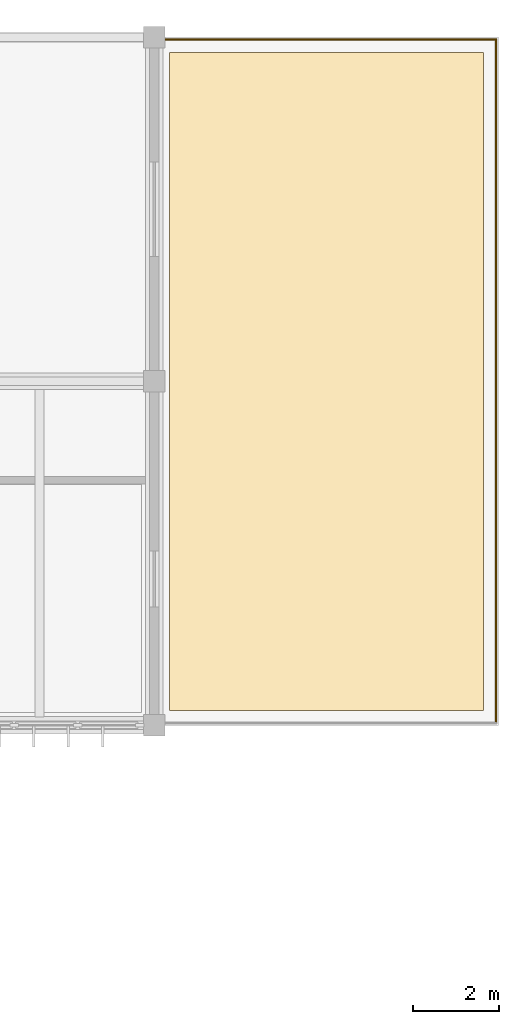
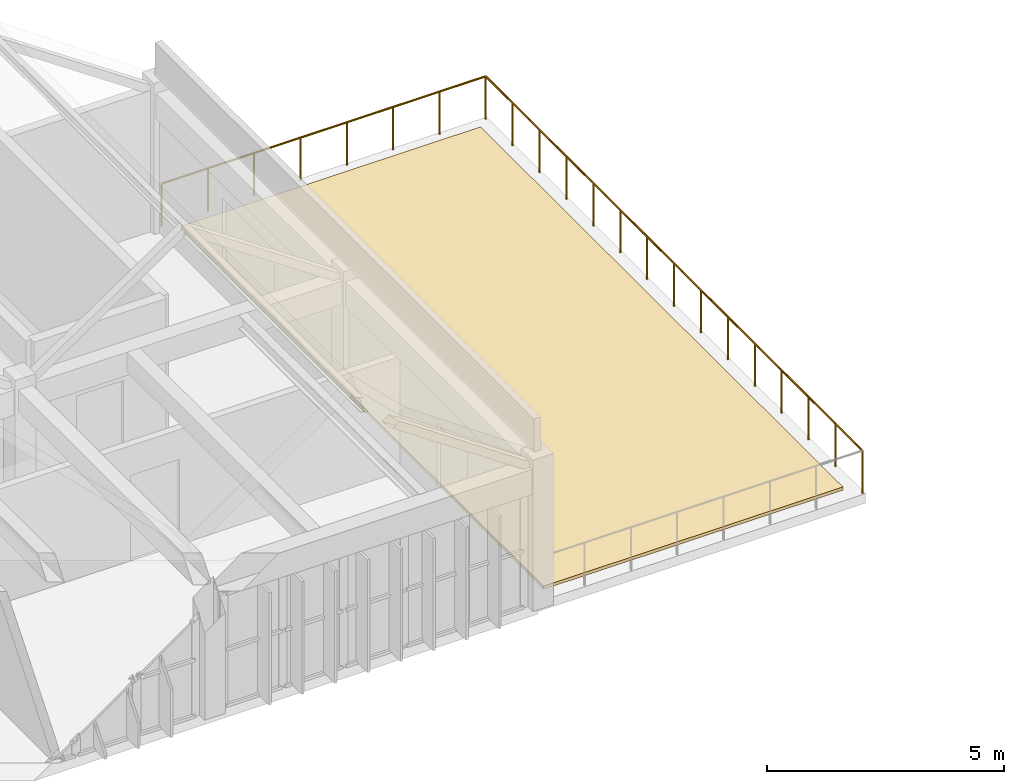
# One storey, part 31 of 31: 2 railings, 1 covering.
"""IFC4 building model written with IfcOpenShell, lengths in metres."""

from ifc_helpers import new_model, si_unit, direction, frame, origin, origin_2d, place, context, subcontext, project, spatial, polyline, circle, outline, extrude, material, layer, layer_set, type_object, element, save


model = new_model("IFC4")

# Units and contexts
model_context = context("Model", 3, precision=1e-05, world=origin(), true_north=direction((0.0, 1.0)))
body_context = subcontext(model_context, "Body", "Model", "MODEL_VIEW")
ifc_project = project(units=[si_unit("LENGTHUNIT", "METRE"), si_unit("AREAUNIT", "SQUARE_METRE"), si_unit("VOLUMEUNIT", "CUBIC_METRE"), si_unit("PLANEANGLEUNIT", "RADIAN"), si_unit("MASSUNIT", "GRAM", prefix="KILO")], contexts=[model_context])

# Site, building, storey
site_placement = place(None, origin())
site = spatial("IfcSite", under=ifc_project, at=site_placement, CompositionType="ELEMENT")
building_placement = place(site_placement, origin())
building = spatial("IfcBuilding", under=site, at=building_placement, Name="Tlaxcora Railside Police Headquarters", CompositionType="ELEMENT")
storey_placement = place(building_placement, frame((0.0, 0.0, 18.0)))
storey = spatial("IfcBuildingStorey", under=building, at=storey_placement, Name="L04", CompositionType="ELEMENT", Elevation=18.0)

# Covering
ifc_material_1 = material(Name="Modified EPDM waterproofing and volcanic-ash protection membrane")
ifc_layer = layer(ifc_material_1, 0.080078125, Name="Modified EPDM waterproofing and volcanic-ash protection membrane")
ifc_layer_set = layer_set([ifc_layer], Name="Modified EPDM waterproofing and volcanic-ash protection membrane")
covering_type = type_object("IfcCoveringType", Name="Planted Roof Garden Waterproofing RF-01", PredefinedType="ROOFING", material=ifc_layer_set)
covering_placement = place(storey_placement, origin())
element("IfcCovering", 1, at=covering_placement, inside=storey, type_object=covering_type, Name="TERR-V6-L04-E planted waterproofing layer", PredefinedType="ROOFING", context=body_context, shape_type="SweptSolid", body=[
    extrude(outline(polyline([(150.449951171875, 77.14990234375), (150.449951171875, 92.449951171875), (143.14990234375, 92.449951171875), (143.14990234375, 77.14990234375), (150.449951171875, 77.14990234375)])), origin(), (0.0, 0.0, 1.0), 0.080078125),
])

# Railings
ifc_material_2 = material(Name="Steel ASTM A992 Grade 50", Category="steel")
railing_type = type_object("IfcRailingType", Name="Terrace Perimeter Guard Balustrade GR-01", PredefinedType="BALUSTRADE", material=ifc_material_2)
railing_1_placement = place(storey_placement, frame((150.75, 76.85009765625, 0.0)))
element("IfcRailing", 2, at=railing_1_placement, inside=storey, type_object=railing_type, Name="TERR-V6-L04-E perimeter guard 2", PredefinedType="BALUSTRADE", context=body_context, shape_type="SweptSolid", body=[
    extrude(circle(Radius=0.02392578125, at=origin_2d()), frame((0.0, 0.0, 1.09619140625), z_axis=(0.0, 1.0, 0.0), x_axis=(-1.0, 0.0, 0.0)), (0.0, 0.0, 1.0), 15.89990234375),
    extrude(circle(Radius=0.02099609375, at=origin_2d()), origin(), (0.0, 0.0, 1.0), 1.072021484375),
    extrude(circle(Radius=0.02099609375, at=origin_2d()), frame((0.0, 1.1357421875, 0.0)), (0.0, 0.0, 1.0), 1.072021484375),
    extrude(circle(Radius=0.02099609375, at=origin_2d()), frame((0.0, 2.271484375, 0.0)), (0.0, 0.0, 1.0), 1.072021484375),
    extrude(circle(Radius=0.02099609375, at=origin_2d()), frame((0.0, 3.4072265625, 0.0)), (0.0, 0.0, 1.0), 1.072021484375),
    extrude(circle(Radius=0.02099609375, at=origin_2d()), frame((0.0, 4.542724609375, 0.0)), (0.0, 0.0, 1.0), 1.072021484375),
    extrude(circle(Radius=0.02099609375, at=origin_2d()), frame((0.0, 5.678466796875, 0.0)), (0.0, 0.0, 1.0), 1.072021484375),
    extrude(circle(Radius=0.02099609375, at=origin_2d()), frame((0.0, 6.814208984375, 0.0)), (0.0, 0.0, 1.0), 1.072021484375),
    extrude(circle(Radius=0.02099609375, at=origin_2d()), frame((0.0, 7.949951171875, 0.0)), (0.0, 0.0, 1.0), 1.072021484375),
    extrude(circle(Radius=0.02099609375, at=origin_2d()), frame((0.0, 9.085693359375, 0.0)), (0.0, 0.0, 1.0), 1.072021484375),
    extrude(circle(Radius=0.02099609375, at=origin_2d()), frame((0.0, 10.221435546875, 0.0)), (0.0, 0.0, 1.0), 1.072021484375),
    extrude(circle(Radius=0.02099609375, at=origin_2d()), frame((0.0, 11.357177734375, 0.0)), (0.0, 0.0, 1.0), 1.072021484375),
    extrude(circle(Radius=0.02099609375, at=origin_2d()), frame((0.0, 12.49267578125, 0.0)), (0.0, 0.0, 1.0), 1.072021484375),
    extrude(circle(Radius=0.02099609375, at=origin_2d()), frame((0.0, 13.62841796875, 0.0)), (0.0, 0.0, 1.0), 1.072021484375),
    extrude(circle(Radius=0.02099609375, at=origin_2d()), frame((0.0, 14.76416015625, 0.0)), (0.0, 0.0, 1.0), 1.072021484375),
    extrude(circle(Radius=0.02099609375, at=origin_2d()), frame((0.0, 15.89990234375, 0.0)), (0.0, 0.0, 1.0), 1.072021484375),
])
railing_2_placement = place(storey_placement, frame((150.75, 92.75, 0.0)))
element("IfcRailing", 3, at=railing_2_placement, inside=storey, type_object=railing_type, Name="TERR-V6-L04-E perimeter guard 3", PredefinedType="BALUSTRADE", context=body_context, shape_type="SweptSolid", body=[
    extrude(circle(Radius=0.02392578125, at=origin_2d()), frame((0.0, 0.0, 1.09619140625), z_axis=(-1.0, 0.0, 0.0), x_axis=(0.0, -1.0, 0.0)), (0.0, 0.0, 1.0), 7.89990234375),
    extrude(circle(Radius=0.02099609375, at=origin_2d()), origin(), (0.0, 0.0, 1.0), 1.072021484375),
    extrude(circle(Radius=0.02099609375, at=origin_2d()), frame((-1.128662109375, 0.0, 0.0)), (0.0, 0.0, 1.0), 1.072021484375),
    extrude(circle(Radius=0.02099609375, at=origin_2d()), frame((-2.257080078125, 0.0, 0.0)), (0.0, 0.0, 1.0), 1.072021484375),
    extrude(circle(Radius=0.02099609375, at=origin_2d()), frame((-3.3857421875, 0.0, 0.0)), (0.0, 0.0, 1.0), 1.072021484375),
    extrude(circle(Radius=0.02099609375, at=origin_2d()), frame((-4.51416015625, 0.0, 0.0)), (0.0, 0.0, 1.0), 1.072021484375),
    extrude(circle(Radius=0.02099609375, at=origin_2d()), frame((-5.642822265625, 0.0, 0.0)), (0.0, 0.0, 1.0), 1.072021484375),
    extrude(circle(Radius=0.02099609375, at=origin_2d()), frame((-6.771240234375, 0.0, 0.0)), (0.0, 0.0, 1.0), 1.072021484375),
    extrude(circle(Radius=0.02099609375, at=origin_2d()), frame((-7.89990234375, 0.0, 0.0)), (0.0, 0.0, 1.0), 1.072021484375),
])

save(model, "model.ifc")
